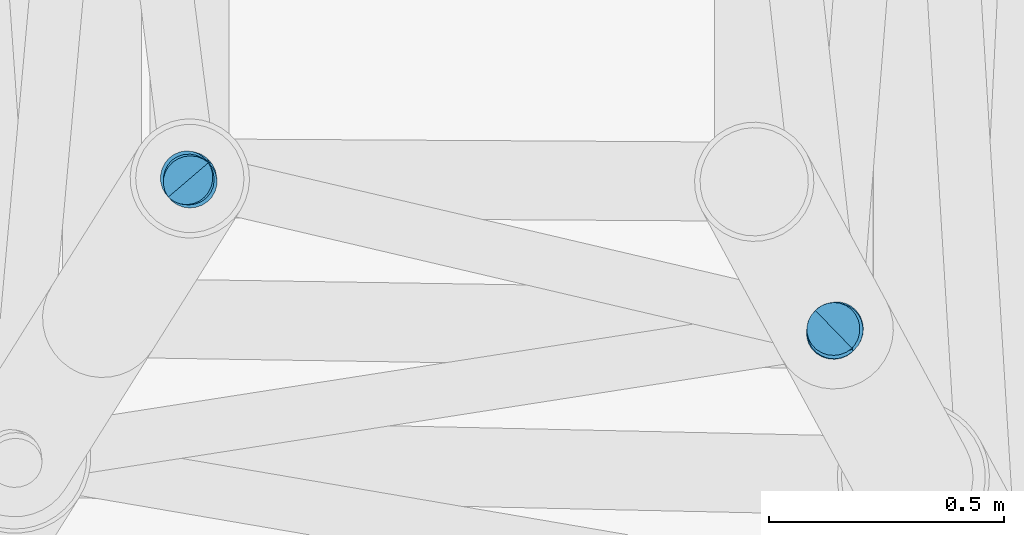
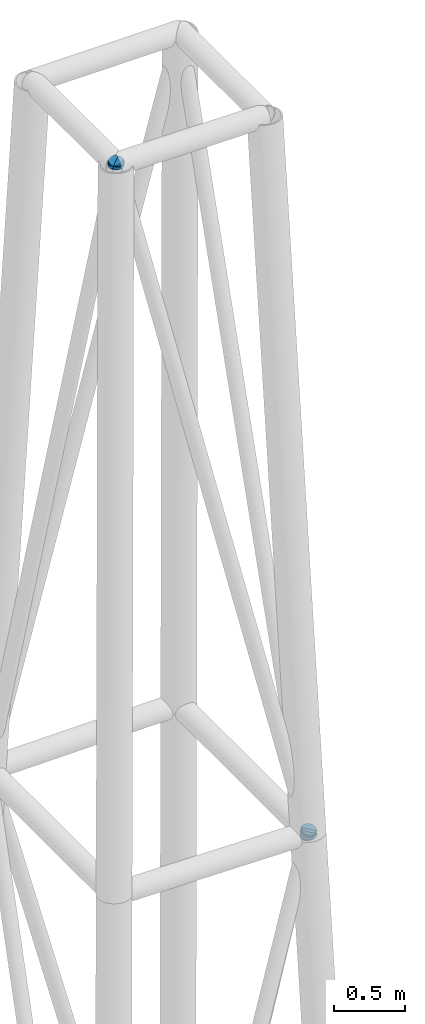
# One storey, part 5 of 10: 6 discrete accessories.
"""IFC4 building model written with IfcOpenShell, lengths in metres."""

from ifc_helpers import new_model, si_unit, direction, frame, origin, origin_2d, place, context, subcontext, project, spatial, circle, extrude, material, material_profile, profile_set, type_object, element, save


model = new_model("IFC4")

# Units and contexts
model_context = context("Model", 3, precision=1e-05, world=origin(), true_north=direction((0.0, 1.0)))
body_context = subcontext(model_context, "Body", "Model", "MODEL_VIEW")
ifc_project = project(units=[si_unit("LENGTHUNIT", "METRE"), si_unit("AREAUNIT", "SQUARE_METRE"), si_unit("VOLUMEUNIT", "CUBIC_METRE"), si_unit("PLANEANGLEUNIT", "RADIAN"), si_unit("MASSUNIT", "GRAM", prefix="KILO")], contexts=[model_context])

# Site, building, storey
site_placement = place(None, origin())
site = spatial("IfcSite", under=ifc_project, at=site_placement, CompositionType="ELEMENT")
building_placement = place(site_placement, origin())
building = spatial("IfcBuilding", under=site, at=building_placement, Name="Alderwake Tower", CompositionType="ELEMENT")
storey_placement = place(building_placement, frame((0.0, 0.0, 319.25)))
storey = spatial("IfcBuildingStorey", under=building, at=storey_placement, Name="Upper roof", CompositionType="ELEMENT", Elevation=319.25)

# Discrete accessories
ifc_material = material(Name="Steel ASTM A572 Grade 50", Category="steel")
ifc_material_profile = material_profile(ifc_material, circle(Radius=0.05712890625, at=origin_2d()), Name="HSS4.500X0.237 cap")
ifc_profile_set = profile_set([ifc_material_profile], Name="Steel ASTM A572 Grade 50")
discrete_accessory_type = type_object("IfcDiscreteAccessoryType", Name="End cap plate HSS4.500X0.237", PredefinedType="USERDEFINED", material=ifc_profile_set)
for number, where, z_axis, x_axis, name in (
    (1, (23.46728515625, 60.093505859375, 49.75), (0.284130597417, 0.040590085345, 0.957926014149), (-0.141421356237, 0.989949493661, 0.0), "End cap MD1.9 N"),
    (2, (23.46728515625, 60.093505859375, 49.75), (-0.02437655215, -0.333146212719, 0.942560016474), (0.997333723592, -0.072975638312, 0.0), "End cap MD4.9 N"),
    (3, (23.46728515625, 60.093505859375, 49.75), (0.226863856416, -0.056715964104, -0.972273670356), (0.242535625036, 0.970142500145, 0.0), "End cap MD1.10 S"),
    (4, (22.098388671875, 60.414306640625, 55.75), (-0.226960722403, 0.048634440515, 0.9726888103), (-0.209529088731, -0.977802414077, 0.0), "End cap MD1.10 N"),
    (5, (22.098388671875, 60.414306640625, 55.75), (0.024437941934, -0.244379419341, 0.969371696717), (0.99503719021, 0.099503719021, 0.0), "End cap MD3.10 N"),
    (6, (23.46728515625, 60.093505859375, 49.75), (0.032576357614, -0.244322682107, -0.969146639025), (0.991227900683, 0.132163720091, 0.0), "End cap MD4.10 S"),
):
    element("IfcDiscreteAccessory", number, at=place(storey_placement, frame(where, z_axis=z_axis, x_axis=x_axis)), inside=storey, type_object=discrete_accessory_type, Name=name, ObjectType="END CAP", PredefinedType="USERDEFINED", context=body_context, shape_type="SweptSolid", body=[
        extrude(circle(Radius=0.05712890625, at=origin_2d()), origin(), (0.0, 0.0, 1.0), 0.030029296875),
    ])

save(model, "model.ifc")
